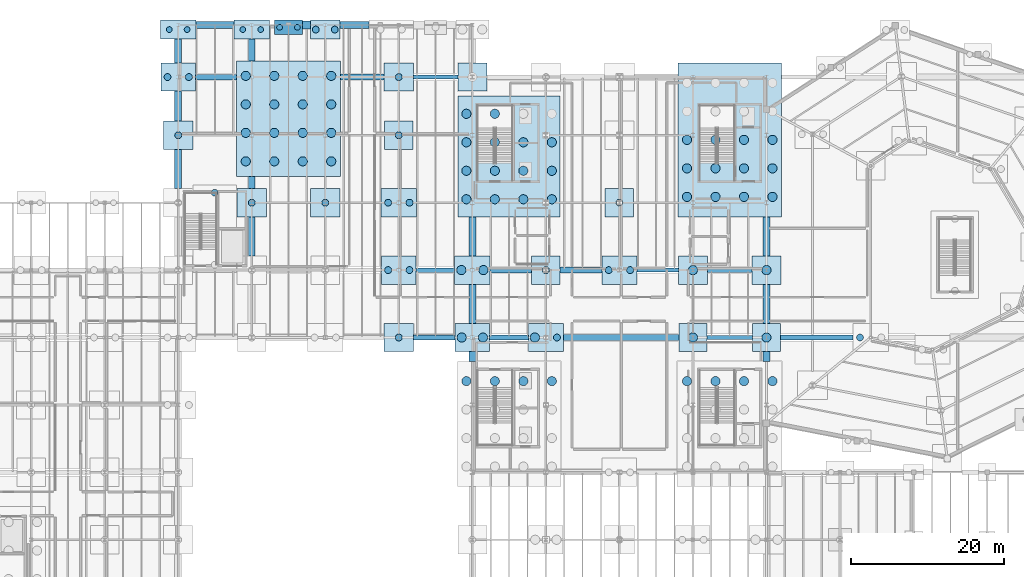
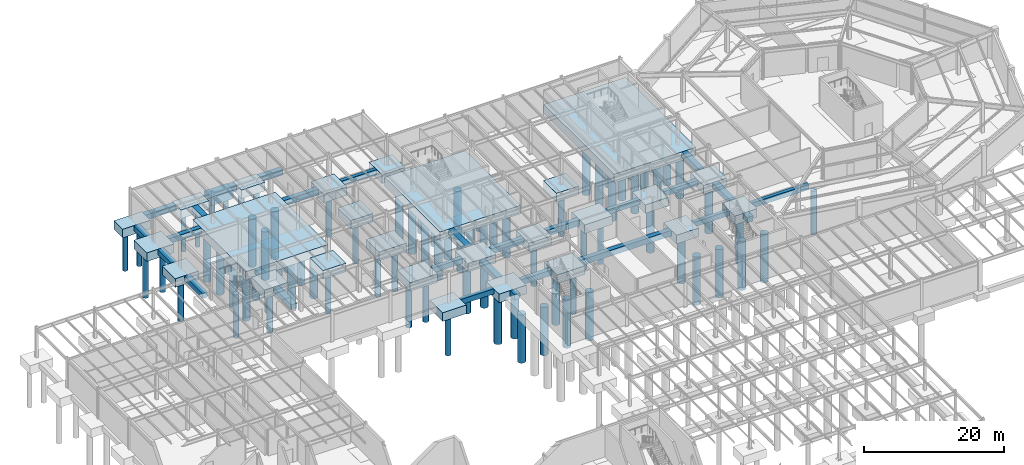
# One storey, part 4 of 48: 86 piles, 55 footings.
"""IFC4 building model written with IfcOpenShell, lengths in metres."""

import ifcopenshell
import ifcopenshell.guid

model = None  # the IFC model being written
_history = None  # IfcOwnerHistory: only IFC2X3 demands one
_inside = {}  # id of a spatial element -> (the spatial element, [elements in it])
_under = {}  # id of a project, library or spatial element -> (it, [spatial elements below it])
_declared = {}  # id of a project -> (the project, [libraries it declares])
_typed = {}  # id of a type object -> (the type object, [elements of that type])
_made_of = {}  # id of a material, layer set ... -> (it, [elements and type objects made of it])


def new_model(schema):
    """Start an empty IFC model of exactly this schema.

    Asked for "IFC4X3", IfcOpenShell would pick the latest addendum, in which some entities
    have other attributes; the version numbers below select the first issue.
    IFC2X3 requires an IfcOwnerHistory on every rooted entity: one is made here for all.
    """
    global model, _history
    if schema == "IFC4X3":
        model = ifcopenshell.file(schema_version=(4, 3, 0, 0))
    else:
        model = ifcopenshell.file(schema=schema)
    _inside.clear()
    _under.clear()
    _declared.clear()
    _typed.clear()
    _made_of.clear()
    _history = None
    if model.schema == "IFC2X3":
        org = make("IfcOrganization", Name="unknown")
        user = make(
            "IfcPersonAndOrganization",
            ThePerson=make("IfcPerson", FamilyName="unknown"),
            TheOrganization=org,
        )
        app = make(
            "IfcApplication",
            ApplicationDeveloper=org,
            Version="unknown",
            ApplicationFullName="unknown",
            ApplicationIdentifier="unknown",
        )
        _history = make(
            "IfcOwnerHistory",
            OwningUser=user,
            OwningApplication=app,
            ChangeAction="ADDED",
            CreationDate=0,
        )
    return model


def make(cls, **values):
    """One entity of the class cls with the attributes given. An attribute that is None is left unset."""
    return model.create_entity(
        cls, **{name: value for name, value in values.items() if value is not None}
    )


def rooted(cls, **values):
    """An entity with a GlobalId (a new one), such as an element, a storey or a relation."""
    return make(cls, GlobalId=ifcopenshell.guid.new(), OwnerHistory=_history, **values)


def si_unit(unit_type, name, prefix=None):
    """IfcSIUnit, for example si_unit("LENGTHUNIT", "METRE", prefix="MILLI")."""
    return make("IfcSIUnit", UnitType=unit_type, Prefix=prefix, Name=name)


def assignment(units):
    """IfcUnitAssignment: the units of a project."""
    return None if units is None else make("IfcUnitAssignment", Units=units)


def point(xyz):
    """IfcCartesianPoint."""
    return None if xyz is None else make("IfcCartesianPoint", Coordinates=xyz)


def direction(xyz):
    """IfcDirection."""
    return None if xyz is None else make("IfcDirection", DirectionRatios=xyz)


def frame(location, z_axis=None, x_axis=None):
    """IfcAxis2Placement3D, a coordinate frame: its origin and axes. An axis left out is left unset."""
    return make(
        "IfcAxis2Placement3D",
        Location=point(location),
        Axis=direction(z_axis),
        RefDirection=direction(x_axis),
    )


def frame_2d(location, x_axis=None):
    """IfcAxis2Placement2D, a coordinate frame in the plane: its origin and x axis."""
    return make(
        "IfcAxis2Placement2D", Location=point(location), RefDirection=direction(x_axis)
    )


def origin():
    """The frame at (0, 0, 0) with its axes left unset."""
    return frame((0.0, 0.0, 0.0))


def origin_2d():
    """The frame at (0, 0) in the plane with its x axis left unset."""
    return frame_2d((0.0, 0.0))


def place(relative_to, where):
    """IfcLocalPlacement: puts the frame where relative to a parent placement (None: the world)."""
    return make(
        "IfcLocalPlacement", PlacementRelTo=relative_to, RelativePlacement=where
    )


def context(
    kind, dimensions, precision=None, world=None, true_north=None, identifier=None
):
    """IfcGeometricRepresentationContext, for example the 3D "Model" context."""
    return make(
        "IfcGeometricRepresentationContext",
        ContextIdentifier=identifier,
        ContextType=kind,
        CoordinateSpaceDimension=dimensions,
        Precision=precision,
        WorldCoordinateSystem=world,
        TrueNorth=true_north,
    )


def subcontext(parent, identifier, kind, view, scale=None):
    """IfcGeometricRepresentationSubContext, for example "Body" below "Model"."""
    return make(
        "IfcGeometricRepresentationSubContext",
        ContextIdentifier=identifier,
        ContextType=kind,
        ParentContext=parent,
        TargetScale=scale,
        TargetView=view,
    )


def project(units=None, contexts=None):
    """IfcProject with its units and contexts."""
    return rooted(
        "IfcProject",
        Name="project",
        RepresentationContexts=contexts,
        UnitsInContext=assignment(units),
    )


def spatial(cls, under=None, at=None, **own):
    """A site, building, storey or space (cls), placed at a placement, below another one or the project."""
    s = rooted(cls, ObjectPlacement=at, **own)
    if under is not None:
        _under.setdefault(under.id(), (under, []))[1].append(s)
    return s


def profile(cls, at=None, kind="AREA", **sizes):
    """A parametric profile (cls). Its sizes go by their IFC names, for example OverallWidth=200.0."""
    return make(cls, ProfileType=kind, Position=at, **sizes)


def rectangle(**sizes):
    """IfcRectangleProfileDef."""
    return profile("IfcRectangleProfileDef", **sizes)


def circle(**sizes):
    """IfcCircleProfileDef."""
    return profile("IfcCircleProfileDef", **sizes)


def extrude(swept, where, along, depth):
    """IfcExtrudedAreaSolid: the profile swept, set in the frame where, extruded along a direction by depth."""
    return make(
        "IfcExtrudedAreaSolid",
        SweptArea=swept,
        Position=where,
        ExtrudedDirection=direction(along),
        Depth=depth,
    )


def shape(context_of_items, identifier, shape_type, items):
    """IfcShapeRepresentation: the items that make up one representation, for example the "Body"."""
    return make(
        "IfcShapeRepresentation",
        ContextOfItems=context_of_items,
        RepresentationIdentifier=identifier,
        RepresentationType=shape_type,
        Items=items,
    )


def material(Name=None, Category=None):
    """IfcMaterial."""
    return make("IfcMaterial", Name=Name, Category=Category)


def material_profile(
    of_material, cross_section, Name=None, Category=None, Priority=None
):
    """IfcMaterialProfile: a cross section and its material."""
    return make(
        "IfcMaterialProfile",
        Name=Name,
        Material=of_material,
        Profile=cross_section,
        Priority=Priority,
        Category=Category,
    )


def profile_set(profiles, Name=None, composite=None):
    """IfcMaterialProfileSet."""
    return make(
        "IfcMaterialProfileSet",
        Name=Name,
        MaterialProfiles=profiles,
        CompositeProfile=composite,
    )


def made_of(thing, what):
    """Note that an element or type object is made of a material, layer set ...; save() writes the relation."""
    if what is not None:
        _made_of.setdefault(what.id(), (what, []))[1].append(thing)
    return thing


def type_object(cls, material=None, **own):
    """A type object (cls), such as IfcWallType, which elements share."""
    return made_of(rooted(cls, **own), material)


def element(
    cls,
    number,
    at=None,
    inside=None,
    cuts=None,
    type_object=None,
    material=None,
    context=None,
    identifier="Body",
    shape_type=None,
    held_by="IfcProductDefinitionShape",
    body=None,
    shapes=None,
    **own,
):
    """One element of the class cls, such as IfcWall. Its Tag is "e" and its number.

    at: its placement. inside: the storey or other place that contains it. cuts: it is an
    opening in that element (IfcRelVoidsElement). A single representation is given by context,
    identifier, shape_type and body (its items); several are given by shapes. held_by: the class
    of the entity that holds the representations. save() writes the other relations.
    """
    e = rooted(cls, Tag="e%d" % number, ObjectPlacement=at, **own)
    if body is not None:
        shapes = [shape(context, identifier, shape_type, body)]
    if shapes is not None:
        e.Representation = make(held_by, Representations=shapes)
    if inside is not None:
        _inside.setdefault(inside.id(), (inside, []))[1].append(e)
    if cuts is not None:
        rooted(
            "IfcRelVoidsElement", RelatingBuildingElement=cuts, RelatedOpeningElement=e
        )
    if type_object is not None:
        _typed.setdefault(type_object.id(), (type_object, []))[1].append(e)
    return made_of(e, material)


def aggregate(whole, parts):
    """IfcRelAggregates: a whole, such as a stair, and the parts it consists of."""
    return rooted("IfcRelAggregates", RelatingObject=whole, RelatedObjects=parts)


def save(model, path):
    """Write the relations noted so far, then the file.

    IfcRelAggregates (storeys below a building ...), IfcRelContainedInSpatialStructure (elements
    in a storey), IfcRelDefinesByType, IfcRelAssociatesMaterial and IfcRelDeclares: one each for
    every whole, place, type object, material and project.
    """
    for whole, parts in _under.values():
        aggregate(whole, parts)
    for where, things in _inside.values():
        rooted(
            "IfcRelContainedInSpatialStructure",
            RelatedElements=things,
            RelatingStructure=where,
        )
    for kind, things in _typed.values():
        rooted("IfcRelDefinesByType", RelatedObjects=things, RelatingType=kind)
    for what, things in _made_of.values():
        rooted("IfcRelAssociatesMaterial", RelatedObjects=things, RelatingMaterial=what)
    for by, libraries in _declared.values():
        rooted("IfcRelDeclares", RelatingContext=by, RelatedDefinitions=libraries)
    model.write(path)


model = new_model("IFC4")

# Units and contexts
model_context = context("Model", 3, precision=1e-05, world=origin(), true_north=direction((0.0, 1.0)))
body_context = subcontext(model_context, "Body", "Model", "MODEL_VIEW")
ifc_project = project(units=[si_unit("LENGTHUNIT", "METRE"), si_unit("AREAUNIT", "SQUARE_METRE"), si_unit("VOLUMEUNIT", "CUBIC_METRE"), si_unit("PLANEANGLEUNIT", "RADIAN"), si_unit("MASSUNIT", "GRAM", prefix="KILO")], contexts=[model_context])

# Site, building, storey
site_placement = place(None, origin())
site = spatial("IfcSite", under=ifc_project, at=site_placement, CompositionType="ELEMENT")
building_placement = place(site_placement, origin())
building = spatial("IfcBuilding", under=site, at=building_placement, Name="Sarnbrook Museum", CompositionType="ELEMENT")
storey_placement = place(building_placement, frame((0.0, 0.0, -5.39990234375)))
storey = spatial("IfcBuildingStorey", under=building, at=storey_placement, Name="B1", CompositionType="ELEMENT", Elevation=-5.39990234375)

# Piles
ifc_material_1 = material(Name="Concrete N50 (AS 3600, f'c = 50 MPa)", Category="concrete")
ifc_material_profile_1 = material_profile(ifc_material_1, circle(Radius=0.375, at=origin_2d()), Name="BORED PILE D750")
ifc_profile_set_1 = profile_set([ifc_material_profile_1], Name="Concrete N50 (AS 3600, f'c = 50 MPa)")
pile_type_1 = type_object("IfcPileType", Name="BoredPile_P1", PredefinedType="BORED", material=ifc_profile_set_1)
for number, where, z_axis, x_axis, name in (
    (1, (41.237548828125, 114.60009765625, -1.400146484375), (0.0, 0.0, -1.0), (1.0, 0.0, 0.0), "Bored Pile P1-0080"),
    (2, (43.5625, 114.60009765625, -1.400146484375), (0.0, 0.0, -1.0), (1.0, 0.0, 0.0), "Bored Pile P1-0081"),
    (3, (50.83740234375, 114.60009765625, -1.400146484375), (0.0, 0.0, -1.0), (1.0, 0.0, 0.0), "Bored Pile P1-0109"),
    (4, (53.16259765625, 114.60009765625, -1.400146484375), (0.0, 0.0, -1.0), (1.0, 0.0, 0.0), "Bored Pile P1-0110"),
    (5, (55.637451171875, 114.889892578125, -1.400146484375), (0.0, 0.0, -1.0), (1.0, 0.0, 0.0), "Bored Pile P1-0115"),
    (6, (57.96240234375, 114.889892578125, -1.400146484375), (0.0, 0.0, -1.0), (1.0, 0.0, 0.0), "Bored Pile P1-0116"),
):
    element("IfcPile", number, at=place(storey_placement, frame(where, z_axis=z_axis, x_axis=x_axis)), inside=storey, type_object=pile_type_1, Name=name, PredefinedType="BORED", context=body_context, shape_type="SweptSolid", body=[
        extrude(circle(Radius=0.375, at=origin_2d()), origin(), (0.0, 0.0, 1.0), 6.800048828125),
    ])
ifc_material_profile_2 = material_profile(ifc_material_1, circle(Radius=0.449951171875, at=origin_2d()), Name="BORED PILE D900")
ifc_profile_set_2 = profile_set([ifc_material_profile_2], Name="Concrete N50 (AS 3600, f'c = 50 MPa)")
pile_type_2 = type_object("IfcPileType", Name="BoredPile_P2", PredefinedType="BORED", material=ifc_profile_set_2)
for number, where, z_axis, x_axis, name in (
    (7, (42.39990234375, 100.800048828125, -1.400146484375), (0.0, 0.0, -1.0), (1.0, 0.0, 0.0), "Bored Pile P2-0077"),
    (8, (41.0048828125, 108.39990234375, -1.400146484375), (0.0, 0.0, -1.0), (1.0, 0.0, 0.0), "Bored Pile P2-0078"),
    (9, (43.794921875, 108.39990234375, -1.400146484375), (0.0, 0.0, -1.0), (1.0, 0.0, 0.0), "Bored Pile P2-0079"),
    (10, (52.0, 92.0, -1.400146484375), (0.0, 0.0, -1.0), (1.0, 0.0, 0.0), "Bored Pile P2-0092"),
    (11, (61.60009765625, 92.0, -1.400146484375), (0.0, 0.0, -1.0), (1.0, 0.0, 0.0), "Bored Pile P2-0120"),
    (12, (60.360107421875, 114.60009765625, -1.400146484375), (0.0, 0.0, -1.0), (1.0, 0.0, 0.0), "Bored Pile P2-0121"),
    (13, (62.840087890625, 114.60009765625, -1.400146484375), (0.0, 0.0, -1.0), (1.0, 0.0, 0.0), "Bored Pile P2-0122"),
    (14, (71.199951171875, 74.39990234375, -1.400146484375), (0.0, 0.0, -1.0), (1.0, 0.0, 0.0), "Bored Pile P2-0130"),
    (15, (69.804931640625, 83.199951171875, -1.400146484375), (0.0, 0.0, -1.0), (1.0, 0.0, 0.0), "Bored Pile P2-0131"),
    (16, (72.594970703125, 83.199951171875, -1.400146484375), (0.0, 0.0, -1.0), (1.0, 0.0, 0.0), "Bored Pile P2-0132"),
    (17, (69.804931640625, 92.0, -1.400146484375), (0.0, 0.0, -1.0), (1.0, 0.0, 0.0), "Bored Pile P2-0133"),
    (18, (72.594970703125, 92.0, -1.400146484375), (0.0, 0.0, -1.0), (1.0, 0.0, 0.0), "Bored Pile P2-0134"),
    (19, (71.199951171875, 100.800048828125, -1.400146484375), (0.0, 0.0, -1.0), (1.0, 0.0, 0.0), "Bored Pile P2-0135"),
    (20, (71.199951171875, 108.39990234375, -1.400146484375), (0.0, 0.0, -1.0), (1.0, 0.0, 0.0), "Bored Pile P2-0136"),
    (21, (91.840087890625, 74.39990234375, -1.400146484375), (0.0, 0.0, -1.0), (1.0, 0.0, 0.0), "Bored Pile P2-0195"),
    (22, (90.39990234375, 83.199951171875, -1.400146484375), (0.0, 0.0, -1.0), (1.0, 0.0, 0.0), "Bored Pile P2-0196"),
    (23, (98.60498046875, 83.199951171875, -1.400146484375), (0.0, 0.0, -1.0), (1.0, 0.0, 0.0), "Bored Pile P2-0209"),
    (24, (101.39501953125, 83.199951171875, -1.400146484375), (0.0, 0.0, -1.0), (1.0, 0.0, 0.0), "Bored Pile P2-0210"),
    (25, (100.0, 92.0, -1.400146484375), (0.0, 0.0, -1.0), (1.0, 0.0, 0.0), "Bored Pile P2-0211"),
    (26, (131.405029296875, 74.405029296875, -1.400146484375), (0.0, 0.0, -1.0), (1.0, 0.0, 0.0), "Bored Pile P2-0293"),
    (27, (47.175048828125, 93.300048828125, -1.400146484375), (0.0, 0.0, -1.0), (1.0, 0.0, 0.0), "Bored Pile P2-0327"),
):
    element("IfcPile", number, at=place(storey_placement, frame(where, z_axis=z_axis, x_axis=x_axis)), inside=storey, type_object=pile_type_2, Name=name, PredefinedType="BORED", context=body_context, shape_type="SweptSolid", body=[
        extrude(circle(Radius=0.449951171875, at=origin_2d()), origin(), (0.0, 0.0, 1.0), 7.60009765625),
    ])
ifc_material_profile_3 = material_profile(ifc_material_1, circle(Radius=0.60009765625, at=origin_2d()), Name="BORED PILE D1200")
ifc_profile_set_3 = profile_set([ifc_material_profile_3], Name="Concrete N50 (AS 3600, f'c = 50 MPa)")
pile_type_3 = type_object("IfcPileType", Name="BoredPile_P3", PredefinedType="BORED", material=ifc_profile_set_3)
for number, where, z_axis, x_axis, name in (
    (28, (51.219970703125, 97.39501953125, -1.400146484375), (0.0, 0.0, -1.0), (1.0, 0.0, 0.0), "Bored Pile P3-0093"),
    (29, (51.219970703125, 101.114990234375, -1.400146484375), (0.0, 0.0, -1.0), (1.0, 0.0, 0.0), "Bored Pile P3-0094"),
    (30, (51.219970703125, 104.8349609375, -1.400146484375), (0.0, 0.0, -1.0), (1.0, 0.0, 0.0), "Bored Pile P3-0095"),
    (31, (51.219970703125, 108.554931640625, -1.400146484375), (0.0, 0.0, -1.0), (1.0, 0.0, 0.0), "Bored Pile P3-0096"),
    (32, (54.93994140625, 97.39501953125, -1.400146484375), (0.0, 0.0, -1.0), (1.0, 0.0, 0.0), "Bored Pile P3-0097"),
    (33, (54.93994140625, 101.114990234375, -1.400146484375), (0.0, 0.0, -1.0), (1.0, 0.0, 0.0), "Bored Pile P3-0098"),
    (34, (54.93994140625, 104.8349609375, -1.400146484375), (0.0, 0.0, -1.0), (1.0, 0.0, 0.0), "Bored Pile P3-0099"),
    (35, (54.93994140625, 108.554931640625, -1.400146484375), (0.0, 0.0, -1.0), (1.0, 0.0, 0.0), "Bored Pile P3-0100"),
    (36, (58.659912109375, 97.39501953125, -1.400146484375), (0.0, 0.0, -1.0), (1.0, 0.0, 0.0), "Bored Pile P3-0101"),
    (37, (58.659912109375, 101.114990234375, -1.400146484375), (0.0, 0.0, -1.0), (1.0, 0.0, 0.0), "Bored Pile P3-0102"),
    (38, (58.659912109375, 104.8349609375, -1.400146484375), (0.0, 0.0, -1.0), (1.0, 0.0, 0.0), "Bored Pile P3-0103"),
    (39, (58.659912109375, 108.554931640625, -1.400146484375), (0.0, 0.0, -1.0), (1.0, 0.0, 0.0), "Bored Pile P3-0104"),
    (40, (62.3798828125, 97.39501953125, -1.400146484375), (0.0, 0.0, -1.0), (1.0, 0.0, 0.0), "Bored Pile P3-0105"),
    (41, (62.3798828125, 101.114990234375, -1.400146484375), (0.0, 0.0, -1.0), (1.0, 0.0, 0.0), "Bored Pile P3-0106"),
    (42, (62.3798828125, 104.8349609375, -1.400146484375), (0.0, 0.0, -1.0), (1.0, 0.0, 0.0), "Bored Pile P3-0107"),
    (43, (62.3798828125, 108.554931640625, -1.400146484375), (0.0, 0.0, -1.0), (1.0, 0.0, 0.0), "Bored Pile P3-0108"),
    (44, (80.02001953125, 68.705078125, -1.400146484375), (0.0, 0.0, -1.0), (1.0, 0.0, 0.0), "Bored Pile P3-0148"),
    (45, (83.739990234375, 68.705078125, -1.400146484375), (0.0, 0.0, -1.0), (1.0, 0.0, 0.0), "Bored Pile P3-0152"),
    (46, (87.4599609375, 68.705078125, -1.400146484375), (0.0, 0.0, -1.0), (1.0, 0.0, 0.0), "Bored Pile P3-0156"),
    (47, (91.179931640625, 68.705078125, -1.400146484375), (0.0, 0.0, -1.0), (1.0, 0.0, 0.0), "Bored Pile P3-0160"),
    (48, (79.409912109375, 74.39990234375, -1.400146484375), (0.0, 0.0, -1.0), (1.0, 0.0, 0.0), "Bored Pile P3-0161"),
    (49, (82.18994140625, 74.39990234375, -1.400146484375), (0.0, 0.0, -1.0), (1.0, 0.0, 0.0), "Bored Pile P3-0162"),
    (50, (79.360107421875, 83.199951171875, -1.400146484375), (0.0, 0.0, -1.0), (1.0, 0.0, 0.0), "Bored Pile P3-0163"),
    (51, (82.239990234375, 83.199951171875, -1.400146484375), (0.0, 0.0, -1.0), (1.0, 0.0, 0.0), "Bored Pile P3-0164"),
    (52, (80.02001953125, 92.445068359375, -1.400146484375), (0.0, 0.0, -1.0), (1.0, 0.0, 0.0), "Bored Pile P3-0165"),
    (53, (80.02001953125, 96.1650390625, -1.400146484375), (0.0, 0.0, -1.0), (1.0, 0.0, 0.0), "Bored Pile P3-0166"),
    (54, (80.02001953125, 99.885009765625, -1.400146484375), (0.0, 0.0, -1.0), (1.0, 0.0, 0.0), "Bored Pile P3-0167"),
    (55, (80.02001953125, 103.60498046875, -1.400146484375), (0.0, 0.0, -1.0), (1.0, 0.0, 0.0), "Bored Pile P3-0168"),
    (56, (83.739990234375, 92.445068359375, -1.400146484375), (0.0, 0.0, -1.0), (1.0, 0.0, 0.0), "Bored Pile P3-0169"),
    (57, (83.739990234375, 96.1650390625, -1.400146484375), (0.0, 0.0, -1.0), (1.0, 0.0, 0.0), "Bored Pile P3-0170"),
    (58, (83.739990234375, 99.885009765625, -1.400146484375), (0.0, 0.0, -1.0), (1.0, 0.0, 0.0), "Bored Pile P3-0171"),
    (59, (83.739990234375, 103.60498046875, -1.400146484375), (0.0, 0.0, -1.0), (1.0, 0.0, 0.0), "Bored Pile P3-0172"),
    (60, (87.4599609375, 92.445068359375, -1.400146484375), (0.0, 0.0, -1.0), (1.0, 0.0, 0.0), "Bored Pile P3-0173"),
    (61, (87.4599609375, 96.1650390625, -1.400146484375), (0.0, 0.0, -1.0), (1.0, 0.0, 0.0), "Bored Pile P3-0174"),
    (62, (87.4599609375, 99.885009765625, -1.400146484375), (0.0, 0.0, -1.0), (1.0, 0.0, 0.0), "Bored Pile P3-0175"),
    (63, (91.179931640625, 92.445068359375, -1.400146484375), (0.0, 0.0, -1.0), (1.0, 0.0, 0.0), "Bored Pile P3-0177"),
    (64, (91.179931640625, 96.1650390625, -1.400146484375), (0.0, 0.0, -1.0), (1.0, 0.0, 0.0), "Bored Pile P3-0178"),
    (65, (91.179931640625, 99.885009765625, -1.400146484375), (0.0, 0.0, -1.0), (1.0, 0.0, 0.0), "Bored Pile P3-0179"),
    (66, (88.9599609375, 74.39990234375, -1.400146484375), (0.0, 0.0, -1.0), (1.0, 0.0, 0.0), "Bored Pile P3-0194"),
    (67, (108.820068359375, 68.705078125, -1.400146484375), (0.0, 0.0, -1.0), (1.0, 0.0, 0.0), "Bored Pile P3-0227"),
    (68, (112.5400390625, 68.705078125, -1.400146484375), (0.0, 0.0, -1.0), (1.0, 0.0, 0.0), "Bored Pile P3-0231"),
    (69, (116.260009765625, 68.705078125, -1.400146484375), (0.0, 0.0, -1.0), (1.0, 0.0, 0.0), "Bored Pile P3-0235"),
    (70, (119.97998046875, 68.705078125, -1.400146484375), (0.0, 0.0, -1.0), (1.0, 0.0, 0.0), "Bored Pile P3-0239"),
    (71, (109.60009765625, 74.39990234375, -1.400146484375), (0.0, 0.0, -1.0), (1.0, 0.0, 0.0), "Bored Pile P3-0240"),
    (72, (109.60009765625, 83.199951171875, -1.400146484375), (0.0, 0.0, -1.0), (1.0, 0.0, 0.0), "Bored Pile P3-0241"),
    (73, (108.820068359375, 92.760009765625, -1.400146484375), (0.0, 0.0, -1.0), (1.0, 0.0, 0.0), "Bored Pile P3-0242"),
    (74, (108.820068359375, 96.47998046875, -1.400146484375), (0.0, 0.0, -1.0), (1.0, 0.0, 0.0), "Bored Pile P3-0243"),
    (75, (108.820068359375, 100.199951171875, -1.400146484375), (0.0, 0.0, -1.0), (1.0, 0.0, 0.0), "Bored Pile P3-0244"),
    (76, (112.5400390625, 92.760009765625, -1.400146484375), (0.0, 0.0, -1.0), (1.0, 0.0, 0.0), "Bored Pile P3-0247"),
    (77, (112.5400390625, 96.47998046875, -1.400146484375), (0.0, 0.0, -1.0), (1.0, 0.0, 0.0), "Bored Pile P3-0248"),
    (78, (112.5400390625, 100.199951171875, -1.400146484375), (0.0, 0.0, -1.0), (1.0, 0.0, 0.0), "Bored Pile P3-0249"),
    (79, (116.260009765625, 92.760009765625, -1.400146484375), (0.0, 0.0, -1.0), (1.0, 0.0, 0.0), "Bored Pile P3-0252"),
    (80, (116.260009765625, 96.47998046875, -1.400146484375), (0.0, 0.0, -1.0), (1.0, 0.0, 0.0), "Bored Pile P3-0253"),
    (81, (116.260009765625, 100.199951171875, -1.400146484375), (0.0, 0.0, -1.0), (1.0, 0.0, 0.0), "Bored Pile P3-0254"),
    (82, (119.97998046875, 92.760009765625, -1.400146484375), (0.0, 0.0, -1.0), (1.0, 0.0, 0.0), "Bored Pile P3-0257"),
    (83, (119.97998046875, 96.47998046875, -1.400146484375), (0.0, 0.0, -1.0), (1.0, 0.0, 0.0), "Bored Pile P3-0258"),
    (84, (119.97998046875, 100.199951171875, -1.400146484375), (0.0, 0.0, -1.0), (1.0, 0.0, 0.0), "Bored Pile P3-0259"),
    (85, (119.199951171875, 74.39990234375, -1.400146484375), (0.0, 0.0, -1.0), (1.0, 0.0, 0.0), "Bored Pile P3-0272"),
    (86, (119.199951171875, 83.199951171875, -1.400146484375), (0.0, 0.0, -1.0), (1.0, 0.0, 0.0), "Bored Pile P3-0273"),
):
    element("IfcPile", number, at=place(storey_placement, frame(where, z_axis=z_axis, x_axis=x_axis)), inside=storey, type_object=pile_type_3, Name=name, PredefinedType="BORED", context=body_context, shape_type="SweptSolid", body=[
        extrude(circle(Radius=0.60009765625, at=origin_2d()), origin(), (0.0, 0.0, 1.0), 8.39990234375),
    ])

# Footings
ifc_material_2 = material(Name="Concrete N40 (AS 3600, f'c = 40 MPa)", Category="concrete")
footing_type_1 = type_object("IfcFootingType", Name="GroundBeam_GB1", PredefinedType="FOOTING_BEAM", material=ifc_material_2)
footing_1_placement = place(storey_placement, frame((114.39990234375, 74.39990234375, -0.85009765625), z_axis=(0.0, 0.0, 1.0), x_axis=(1.0, 0.0, 0.0)))
element("IfcFooting", 87, at=footing_1_placement, inside=storey, type_object=footing_type_1, Name="Ground Tie Beam GB-033", PredefinedType="FOOTING_BEAM", context=body_context, shape_type="SweptSolid", body=[
    extrude(rectangle(XDim=5.89990234375, YDim=0.550048828125, at=origin_2d()), origin(), (0.0, 0.0, 1.0), 0.85009765625),
])
footing_2_placement = place(storey_placement, frame((105.0, 83.199951171875, -0.85009765625), z_axis=(0.0, 0.0, 1.0), x_axis=(1.0, 0.0, 0.0)))
element("IfcFooting", 88, at=footing_2_placement, inside=storey, type_object=footing_type_1, Name="Ground Tie Beam GB-045", PredefinedType="FOOTING_BEAM", context=body_context, shape_type="SweptSolid", body=[
    extrude(rectangle(XDim=5.39990234375, YDim=0.550048828125, at=origin_2d()), origin(), (0.0, 0.0, 1.0), 0.85009765625),
])
footing_3_placement = place(storey_placement, frame((76.0, 108.39990234375, -0.85009765625), z_axis=(0.0, 0.0, 1.0), x_axis=(1.0, 0.0, 0.0)))
element("IfcFooting", 89, at=footing_3_placement, inside=storey, type_object=footing_type_1, Name="Ground Tie Beam GB-049", PredefinedType="FOOTING_BEAM", context=body_context, shape_type="SweptSolid", body=[
    extrude(rectangle(XDim=5.800048828125, YDim=0.550048828125, at=origin_2d()), origin(), (0.0, 0.0, 1.0), 0.85009765625),
])
footing_type_2 = type_object("IfcFootingType", Name="GroundBeam_GB2", PredefinedType="FOOTING_BEAM", material=ifc_material_2)
footing_4_placement = place(storey_placement, frame((75.85009765625, 74.39990234375, -0.900146484375), z_axis=(0.0, 0.0, 1.0), x_axis=(1.0, 0.0, 0.0)))
element("IfcFooting", 90, at=footing_4_placement, inside=storey, type_object=footing_type_2, Name="Ground Tie Beam GB-030", PredefinedType="FOOTING_BEAM", context=body_context, shape_type="SweptSolid", body=[
    extrude(rectangle(XDim=5.39990234375, YDim=0.60009765625, at=origin_2d()), origin(), (0.0, 0.0, 1.0), 0.89990234375),
])
footing_5_placement = place(storey_placement, frame((125.77490234375, 74.39990234375, -0.900146484375), z_axis=(0.0, 0.0, 1.0), x_axis=(1.0, 0.0, 0.0)))
element("IfcFooting", 91, at=footing_5_placement, inside=storey, type_object=footing_type_2, Name="Ground Tie Beam GB-034", PredefinedType="FOOTING_BEAM", context=body_context, shape_type="SweptSolid", body=[
    extrude(rectangle(XDim=9.449951171875, YDim=0.60009765625, at=origin_2d()), origin(), (0.0, 0.0, 1.0), 0.89990234375),
])
footing_6_placement = place(storey_placement, frame((75.97509765625, 83.199951171875, -0.900146484375), z_axis=(0.0, 0.0, 1.0), x_axis=(1.0, 0.0, 0.0)))
element("IfcFooting", 92, at=footing_6_placement, inside=storey, type_object=footing_type_2, Name="Ground Tie Beam GB-042", PredefinedType="FOOTING_BEAM", context=body_context, shape_type="SweptSolid", body=[
    extrude(rectangle(XDim=5.050048828125, YDim=0.60009765625, at=origin_2d()), origin(), (0.0, 0.0, 1.0), 0.89990234375),
])
footing_7_placement = place(storey_placement, frame((114.39990234375, 83.199951171875, -0.900146484375), z_axis=(0.0, 0.0, 1.0), x_axis=(1.0, 0.0, 0.0)))
element("IfcFooting", 93, at=footing_7_placement, inside=storey, type_object=footing_type_2, Name="Ground Tie Beam GB-046", PredefinedType="FOOTING_BEAM", context=body_context, shape_type="SweptSolid", body=[
    extrude(rectangle(XDim=5.800048828125, YDim=0.60009765625, at=origin_2d()), origin(), (0.0, 0.0, 1.0), 0.89990234375),
])
footing_type_3 = type_object("IfcFootingType", Name="GroundBeam_GB3", PredefinedType="FOOTING_BEAM", material=ifc_material_2)
footing_8_placement = place(storey_placement, frame((85.574951171875, 74.39990234375, -0.9501953125), z_axis=(0.0, 0.0, 1.0), x_axis=(1.0, 0.0, 0.0)))
element("IfcFooting", 94, at=footing_8_placement, inside=storey, type_object=footing_type_3, Name="Ground Tie Beam GB-031", PredefinedType="FOOTING_BEAM", context=body_context, shape_type="SweptSolid", body=[
    extrude(rectangle(XDim=5.050048828125, YDim=0.699951171875, at=origin_2d()), origin(), (0.0, 0.0, 1.0), 0.949951171875),
])
footing_9_placement = place(storey_placement, frame((85.824951171875, 83.199951171875, -0.9501953125), z_axis=(0.0, 0.0, 1.0), x_axis=(1.0, 0.0, 0.0)))
element("IfcFooting", 95, at=footing_9_placement, inside=storey, type_object=footing_type_3, Name="Ground Tie Beam GB-043", PredefinedType="FOOTING_BEAM", context=body_context, shape_type="SweptSolid", body=[
    extrude(rectangle(XDim=5.449951171875, YDim=0.699951171875, at=origin_2d()), origin(), (0.0, 0.0, 1.0), 0.949951171875),
])
footing_10_placement = place(storey_placement, frame((47.324951171875, 108.39990234375, -0.9501953125), z_axis=(0.0, 0.0, 1.0), x_axis=(1.0, 0.0, 0.0)))
element("IfcFooting", 96, at=footing_10_placement, inside=storey, type_object=footing_type_3, Name="Ground Tie Beam GB-047", PredefinedType="FOOTING_BEAM", context=body_context, shape_type="SweptSolid", body=[
    extrude(rectangle(XDim=5.35009765625, YDim=0.699951171875, at=origin_2d()), origin(), (0.0, 0.0, 1.0), 0.949951171875),
])
footing_type_4 = type_object("IfcFootingType", Name="GroundBeam_GB4", PredefinedType="FOOTING_BEAM", material=ifc_material_2)
footing_11_placement = place(storey_placement, frame((100.22509765625, 74.39990234375, -1.0), z_axis=(0.0, 0.0, 1.0), x_axis=(1.0, 0.0, 0.0)))
element("IfcFooting", 97, at=footing_11_placement, inside=storey, type_object=footing_type_4, Name="Ground Tie Beam GB-032", PredefinedType="FOOTING_BEAM", context=body_context, shape_type="SweptSolid", body=[
    extrude(rectangle(XDim=15.050048828125, YDim=0.75, at=origin_2d()), origin(), (0.0, 0.0, 1.0), 1.0),
])
footing_12_placement = place(storey_placement, frame((94.97509765625, 83.199951171875, -1.0), z_axis=(0.0, 0.0, 1.0), x_axis=(1.0, 0.0, 0.0)))
element("IfcFooting", 98, at=footing_12_placement, inside=storey, type_object=footing_type_4, Name="Ground Tie Beam GB-044", PredefinedType="FOOTING_BEAM", context=body_context, shape_type="SweptSolid", body=[
    extrude(rectangle(XDim=5.449951171875, YDim=0.75, at=origin_2d()), origin(), (0.0, 0.0, 1.0), 1.0),
])
footing_13_placement = place(storey_placement, frame((66.449951171875, 108.39990234375, -1.0), z_axis=(0.0, 0.0, 1.0), x_axis=(1.0, 0.0, 0.0)))
element("IfcFooting", 99, at=footing_13_placement, inside=storey, type_object=footing_type_4, Name="Ground Tie Beam GB-048", PredefinedType="FOOTING_BEAM", context=body_context, shape_type="SweptSolid", body=[
    extrude(rectangle(XDim=5.699951171875, YDim=0.75, at=origin_2d()), origin(), (0.0, 0.0, 1.0), 1.0),
])
footing_type_5 = type_object("IfcFootingType", Name="PileCap_PC07", PredefinedType="PILE_CAP", material=ifc_material_2)
for number, where, z_axis, x_axis, name in (
    (100, (61.60009765625, 92.0, -1.5), (0.0, 0.0, 1.0), (1.0, 0.0, 0.0), "Pile Cap PC-062"),
    (101, (71.199951171875, 108.39990234375, -1.5), (0.0, 0.0, 1.0), (1.0, 0.0, 0.0), "Pile Cap PC-072"),
    (102, (80.800048828125, 108.39990234375, -1.5), (0.0, 0.0, 1.0), (1.0, 0.0, 0.0), "Pile Cap PC-082"),
    (103, (109.60009765625, 83.199951171875, -1.5), (0.0, 0.0, 1.0), (1.0, 0.0, 0.0), "Pile Cap PC-112"),
    (104, (119.199951171875, 83.199951171875, -1.5), (0.0, 0.0, 1.0), (1.0, 0.0, 0.0), "Pile Cap PC-121"),
):
    element("IfcFooting", number, at=place(storey_placement, frame(where, z_axis=z_axis, x_axis=x_axis)), inside=storey, type_object=footing_type_5, Name=name, PredefinedType="PILE_CAP", context=body_context, shape_type="SweptSolid", body=[
        extrude(rectangle(XDim=3.800048828125, YDim=3.699951171875, at=origin_2d()), origin(), (0.0, 0.0, 1.0), 1.5),
    ])
footing_type_6 = type_object("IfcFootingType", Name="PileCap_PC08", PredefinedType="PILE_CAP", material=ifc_material_2)
for number, where, z_axis, x_axis, name in (
    (105, (42.39990234375, 100.800048828125, -1.5), (0.0, 0.0, 1.0), (1.0, 0.0, 0.0), "Pile Cap PC-043"),
    (106, (52.0, 92.0, -1.5), (0.0, 0.0, 1.0), (1.0, 0.0, 0.0), "Pile Cap PC-053"),
    (107, (71.199951171875, 74.39990234375, -1.5), (0.0, 0.0, 1.0), (1.0, 0.0, 0.0), "Pile Cap PC-068"),
):
    element("IfcFooting", number, at=place(storey_placement, frame(where, z_axis=z_axis, x_axis=x_axis)), inside=storey, type_object=footing_type_6, Name=name, PredefinedType="PILE_CAP", context=body_context, shape_type="SweptSolid", body=[
        extrude(rectangle(XDim=3.89990234375, YDim=3.699951171875, at=origin_2d()), origin(), (0.0, 0.0, 1.0), 1.5),
    ])
footing_type_7 = type_object("IfcFootingType", Name="PileCap_PC09", PredefinedType="PILE_CAP", material=ifc_material_2)
for number, where, z_axis, x_axis, name in (
    (108, (42.39990234375, 108.39990234375, -1.5), (0.0, 0.0, 1.0), (1.0, 0.0, 0.0), "Pile Cap PC-044"),
    (109, (71.199951171875, 83.199951171875, -1.5), (0.0, 0.0, 1.0), (1.0, 0.0, 0.0), "Pile Cap PC-069"),
    (110, (80.800048828125, 74.39990234375, -1.5), (0.0, 0.0, 1.0), (1.0, 0.0, 0.0), "Pile Cap PC-079"),
):
    element("IfcFooting", number, at=place(storey_placement, frame(where, z_axis=z_axis, x_axis=x_axis)), inside=storey, type_object=footing_type_7, Name=name, PredefinedType="PILE_CAP", context=body_context, shape_type="SweptSolid", body=[
        extrude(rectangle(XDim=4.5, YDim=3.699951171875, at=origin_2d()), origin(), (0.0, 0.0, 1.0), 1.5),
    ])
footing_type_8 = type_object("IfcFootingType", Name="PileCap_PC10", PredefinedType="PILE_CAP", material=ifc_material_2)
for number, where, z_axis, x_axis, name in (
    (111, (71.199951171875, 92.0, -1.5), (0.0, 0.0, 1.0), (1.0, 0.0, 0.0), "Pile Cap PC-070"),
    (112, (80.800048828125, 83.199951171875, -1.5), (0.0, 0.0, 1.0), (1.0, 0.0, 0.0), "Pile Cap PC-080"),
    (113, (90.39990234375, 74.39990234375, -1.5), (0.0, 0.0, 1.0), (1.0, 0.0, 0.0), "Pile Cap PC-090"),
    (114, (100.0, 83.199951171875, -1.5), (0.0, 0.0, 1.0), (1.0, 0.0, 0.0), "Pile Cap PC-100"),
):
    element("IfcFooting", number, at=place(storey_placement, frame(where, z_axis=z_axis, x_axis=x_axis)), inside=storey, type_object=footing_type_8, Name=name, PredefinedType="PILE_CAP", context=body_context, shape_type="SweptSolid", body=[
        extrude(rectangle(XDim=4.60009765625, YDim=3.699951171875, at=origin_2d()), origin(), (0.0, 0.0, 1.0), 1.5),
    ])
footing_type_9 = type_object("IfcFootingType", Name="PileCap_PC16", PredefinedType="PILE_CAP", material=ifc_material_2)
for number, where, z_axis, x_axis, name in (
    (115, (71.199951171875, 100.800048828125, -1.5), (0.0, 0.0, 1.0), (1.0, 0.0, 0.0), "Pile Cap PC-071"),
    (116, (90.39990234375, 83.199951171875, -1.5), (0.0, 0.0, 1.0), (1.0, 0.0, 0.0), "Pile Cap PC-091"),
    (117, (100.0, 92.0, -1.5), (0.0, 0.0, 1.0), (1.0, 0.0, 0.0), "Pile Cap PC-101"),
    (118, (109.60009765625, 74.39990234375, -1.5), (0.0, 0.0, 1.0), (1.0, 0.0, 0.0), "Pile Cap PC-111"),
    (119, (119.199951171875, 74.39990234375, -1.5), (0.0, 0.0, 1.0), (1.0, 0.0, 0.0), "Pile Cap PC-120"),
):
    element("IfcFooting", number, at=place(storey_placement, frame(where, z_axis=z_axis, x_axis=x_axis)), inside=storey, type_object=footing_type_9, Name=name, PredefinedType="PILE_CAP", context=body_context, shape_type="SweptSolid", body=[
        extrude(rectangle(XDim=3.699951171875, YDim=3.699951171875, at=origin_2d()), origin(), (0.0, 0.0, 1.0), 1.5),
    ])
footing_type_10 = type_object("IfcFootingType", Name="PileCap_PC19", PredefinedType="PILE_CAP", material=ifc_material_2)
for number, where, z_axis, x_axis, name in (
    (120, (42.39990234375, 114.60009765625, -1.5), (0.0, 0.0, 1.0), (1.0, 0.0, 0.0), "Pile Cap PC-045"),
    (121, (52.0, 114.60009765625, -1.5), (0.0, 0.0, 1.0), (1.0, 0.0, 0.0), "Pile Cap PC-055"),
):
    element("IfcFooting", number, at=place(storey_placement, frame(where, z_axis=z_axis, x_axis=x_axis)), inside=storey, type_object=footing_type_10, Name=name, PredefinedType="PILE_CAP", context=body_context, shape_type="SweptSolid", body=[
        extrude(rectangle(XDim=4.60009765625, YDim=2.5, at=origin_2d()), origin(), (0.0, 0.0, 1.0), 1.5),
    ])
footing_type_11 = type_object("IfcFootingType", Name="PileCap_PC21", PredefinedType="PILE_CAP", material=ifc_material_2)
footing_14_placement = place(storey_placement, frame((56.800048828125, 102.97509765625, -1.5), z_axis=(0.0, 0.0, 1.0), x_axis=(1.0, 0.0, 0.0)))
element("IfcFooting", 122, at=footing_14_placement, inside=storey, type_object=footing_type_11, Name="Pile Cap PC-054", PredefinedType="PILE_CAP", context=body_context, shape_type="SweptSolid", body=[
    extrude(rectangle(XDim=13.60009765625, YDim=15.050048828125, at=origin_2d()), origin(), (0.0, 0.0, 1.0), 1.5),
])
footing_type_12 = type_object("IfcFootingType", Name="PileCap_PC23", PredefinedType="PILE_CAP", material=ifc_material_2)
footing_15_placement = place(storey_placement, frame((56.800048828125, 114.889892578125, -1.5), z_axis=(0.0, 0.0, 1.0), x_axis=(1.0, 0.0, 0.0)))
element("IfcFooting", 123, at=footing_15_placement, inside=storey, type_object=footing_type_12, Name="Pile Cap PC-059", PredefinedType="PILE_CAP", context=body_context, shape_type="SweptSolid", body=[
    extrude(rectangle(XDim=3.699951171875, YDim=1.919921875, at=origin_2d()), origin(), (0.0, 0.0, 1.0), 1.5),
])
footing_type_13 = type_object("IfcFootingType", Name="PileCap_PC24", PredefinedType="PILE_CAP", material=ifc_material_2)
footing_16_placement = place(storey_placement, frame((61.60009765625, 114.60009765625, -1.5), z_axis=(0.0, 0.0, 1.0), x_axis=(1.0, 0.0, 0.0)))
element("IfcFooting", 124, at=footing_16_placement, inside=storey, type_object=footing_type_13, Name="Pile Cap PC-063", PredefinedType="PILE_CAP", context=body_context, shape_type="SweptSolid", body=[
    extrude(rectangle(XDim=3.89990234375, YDim=2.5, at=origin_2d()), origin(), (0.0, 0.0, 1.0), 1.5),
])
footing_type_14 = type_object("IfcFootingType", Name="PileCap_PC30", PredefinedType="PILE_CAP", material=ifc_material_2)
footing_17_placement = place(storey_placement, frame((85.60009765625, 98.02490234375, -1.5), z_axis=(0.0, 0.0, 1.0), x_axis=(1.0, 0.0, 0.0)))
element("IfcFooting", 125, at=footing_17_placement, inside=storey, type_object=footing_type_14, Name="Pile Cap PC-081", PredefinedType="PILE_CAP", context=body_context, shape_type="SweptSolid", body=[
    extrude(rectangle(XDim=13.300048828125, YDim=15.75, at=origin_2d()), origin(), (0.0, 0.0, 1.0), 1.5),
])
footing_type_15 = type_object("IfcFootingType", Name="PileCap_PC35", PredefinedType="PILE_CAP", material=ifc_material_2)
footing_18_placement = place(storey_placement, frame((114.39990234375, 100.199951171875, -1.5), z_axis=(0.0, 0.0, 1.0), x_axis=(1.0, 0.0, 0.0)))
element("IfcFooting", 126, at=footing_18_placement, inside=storey, type_object=footing_type_15, Name="Pile Cap PC-113", PredefinedType="PILE_CAP", context=body_context, shape_type="SweptSolid", body=[
    extrude(rectangle(XDim=13.5, YDim=20.10009765625, at=origin_2d()), origin(), (0.0, 0.0, 1.0), 1.5),
])
footing_type_16 = type_object("IfcFootingType", Name="StripFooting_SF1", PredefinedType="STRIP_FOOTING", material=ifc_material_2)
footing_19_placement = place(storey_placement, frame((47.199951171875, 115.199951171875, -0.900146484375), z_axis=(0.0, 0.0, 1.0), x_axis=(1.0, 0.0, 0.0)))
element("IfcFooting", 127, at=footing_19_placement, inside=storey, type_object=footing_type_16, Name="Strip Footing SF-035", PredefinedType="STRIP_FOOTING", context=body_context, shape_type="SweptSolid", body=[
    extrude(rectangle(XDim=5.0, YDim=0.89990234375, at=origin_2d()), origin(), (0.0, 0.0, 1.0), 0.89990234375),
])
footing_20_placement = place(storey_placement, frame((65.425048828125, 115.199951171875, -0.900146484375), z_axis=(0.0, 0.0, 1.0), x_axis=(1.0, 0.0, 0.0)))
element("IfcFooting", 128, at=footing_20_placement, inside=storey, type_object=footing_type_16, Name="Strip Footing SF-037", PredefinedType="STRIP_FOOTING", context=body_context, shape_type="SweptSolid", body=[
    extrude(rectangle(XDim=3.75, YDim=0.89990234375, at=origin_2d()), origin(), (0.0, 0.0, 1.0), 0.89990234375),
])
footing_21_placement = place(storey_placement, frame((42.39990234375, 96.39990234375, -0.900146484375), z_axis=(0.0, 0.0, 1.0), x_axis=(1.0, 0.0, 0.0)))
element("IfcFooting", 129, at=footing_21_placement, inside=storey, type_object=footing_type_16, Name="Strip Footing SF-063", PredefinedType="STRIP_FOOTING", context=body_context, shape_type="SweptSolid", body=[
    extrude(rectangle(XDim=0.89990234375, YDim=5.10009765625, at=origin_2d()), origin(), (0.0, 0.0, 1.0), 0.89990234375),
])
footing_22_placement = place(storey_placement, frame((42.39990234375, 104.60009765625, -0.900146484375), z_axis=(0.0, 0.0, 1.0), x_axis=(1.0, 0.0, 0.0)))
element("IfcFooting", 130, at=footing_22_placement, inside=storey, type_object=footing_type_16, Name="Strip Footing SF-064", PredefinedType="STRIP_FOOTING", context=body_context, shape_type="SweptSolid", body=[
    extrude(rectangle(XDim=0.89990234375, YDim=3.89990234375, at=origin_2d()), origin(), (0.0, 0.0, 1.0), 0.89990234375),
])
footing_23_placement = place(storey_placement, frame((42.39990234375, 111.800048828125, -0.900146484375), z_axis=(0.0, 0.0, 1.0), x_axis=(1.0, 0.0, 0.0)))
element("IfcFooting", 131, at=footing_23_placement, inside=storey, type_object=footing_type_16, Name="Strip Footing SF-065", PredefinedType="STRIP_FOOTING", context=body_context, shape_type="SweptSolid", body=[
    extrude(rectangle(XDim=0.89990234375, YDim=3.10009765625, at=origin_2d()), origin(), (0.0, 0.0, 1.0), 0.89990234375),
])
footing_24_placement = place(storey_placement, frame((52.0, 87.60009765625, -0.900146484375), z_axis=(0.0, 0.0, 1.0), x_axis=(1.0, 0.0, 0.0)))
element("IfcFooting", 132, at=footing_24_placement, inside=storey, type_object=footing_type_16, Name="Strip Footing SF-067", PredefinedType="STRIP_FOOTING", context=body_context, shape_type="SweptSolid", body=[
    extrude(rectangle(XDim=0.89990234375, YDim=5.10009765625, at=origin_2d()), origin(), (0.0, 0.0, 1.0), 0.89990234375),
])
footing_25_placement = place(storey_placement, frame((52.0, 94.64990234375, -0.900146484375), z_axis=(0.0, 0.0, 1.0), x_axis=(1.0, 0.0, 0.0)))
element("IfcFooting", 133, at=footing_25_placement, inside=storey, type_object=footing_type_16, Name="Strip Footing SF-068", PredefinedType="STRIP_FOOTING", context=body_context, shape_type="SweptSolid", body=[
    extrude(rectangle(XDim=0.89990234375, YDim=1.60009765625, at=origin_2d()), origin(), (0.0, 0.0, 1.0), 0.89990234375),
])
footing_26_placement = place(storey_placement, frame((52.0, 111.925048828125, -0.900146484375), z_axis=(0.0, 0.0, 1.0), x_axis=(1.0, 0.0, 0.0)))
element("IfcFooting", 134, at=footing_26_placement, inside=storey, type_object=footing_type_16, Name="Strip Footing SF-069", PredefinedType="STRIP_FOOTING", context=body_context, shape_type="SweptSolid", body=[
    extrude(rectangle(XDim=0.89990234375, YDim=2.85009765625, at=origin_2d()), origin(), (0.0, 0.0, 1.0), 0.89990234375),
])
footing_27_placement = place(storey_placement, frame((80.800048828125, 71.925048828125, -0.900146484375), z_axis=(0.0, 0.0, 1.0), x_axis=(1.0, 0.0, 0.0)))
element("IfcFooting", 135, at=footing_27_placement, inside=storey, type_object=footing_type_16, Name="Strip Footing SF-076", PredefinedType="STRIP_FOOTING", context=body_context, shape_type="SweptSolid", body=[
    extrude(rectangle(XDim=0.89990234375, YDim=1.25, at=origin_2d()), origin(), (0.0, 0.0, 1.0), 0.89990234375),
])
for number, where, z_axis, x_axis, name in (
    (136, (80.800048828125, 78.800048828125, -0.900146484375), (0.0, 0.0, 1.0), (1.0, 0.0, 0.0), "Strip Footing SF-077"),
    (137, (80.800048828125, 87.60009765625, -0.900146484375), (0.0, 0.0, 1.0), (1.0, 0.0, 0.0), "Strip Footing SF-078"),
):
    element("IfcFooting", number, at=place(storey_placement, frame(where, z_axis=z_axis, x_axis=x_axis)), inside=storey, type_object=footing_type_16, Name=name, PredefinedType="STRIP_FOOTING", context=body_context, shape_type="SweptSolid", body=[
        extrude(rectangle(XDim=0.89990234375, YDim=5.10009765625, at=origin_2d()), origin(), (0.0, 0.0, 1.0), 0.89990234375),
    ])
footing_28_placement = place(storey_placement, frame((119.199951171875, 71.925048828125, -0.900146484375), z_axis=(0.0, 0.0, 1.0), x_axis=(1.0, 0.0, 0.0)))
element("IfcFooting", 138, at=footing_28_placement, inside=storey, type_object=footing_type_16, Name="Strip Footing SF-086", PredefinedType="STRIP_FOOTING", context=body_context, shape_type="SweptSolid", body=[
    extrude(rectangle(XDim=0.89990234375, YDim=1.25, at=origin_2d()), origin(), (0.0, 0.0, 1.0), 0.89990234375),
])
for number, where, z_axis, x_axis, name in (
    (139, (119.199951171875, 78.800048828125, -0.900146484375), (0.0, 0.0, 1.0), (1.0, 0.0, 0.0), "Strip Footing SF-087"),
    (140, (119.199951171875, 87.60009765625, -0.900146484375), (0.0, 0.0, 1.0), (1.0, 0.0, 0.0), "Strip Footing SF-088"),
):
    element("IfcFooting", number, at=place(storey_placement, frame(where, z_axis=z_axis, x_axis=x_axis)), inside=storey, type_object=footing_type_16, Name=name, PredefinedType="STRIP_FOOTING", context=body_context, shape_type="SweptSolid", body=[
        extrude(rectangle(XDim=0.89990234375, YDim=5.10009765625, at=origin_2d()), origin(), (0.0, 0.0, 1.0), 0.89990234375),
    ])
footing_type_17 = type_object("IfcFootingType", Name="StripFooting_SF2", PredefinedType="STRIP_FOOTING", material=ifc_material_2)
footing_29_placement = place(storey_placement, frame((59.14990234375, 115.199951171875, -0.9501953125), z_axis=(0.0, 0.0, 1.0), x_axis=(1.0, 0.0, 0.0)))
element("IfcFooting", 141, at=footing_29_placement, inside=storey, type_object=footing_type_17, Name="Strip Footing SF-036", PredefinedType="STRIP_FOOTING", context=body_context, shape_type="SweptSolid", body=[
    extrude(rectangle(XDim=1.0, YDim=1.050048828125, at=origin_2d()), origin(), (0.0, 0.0, 1.0), 0.949951171875),
])

save(model, "model.ifc")
